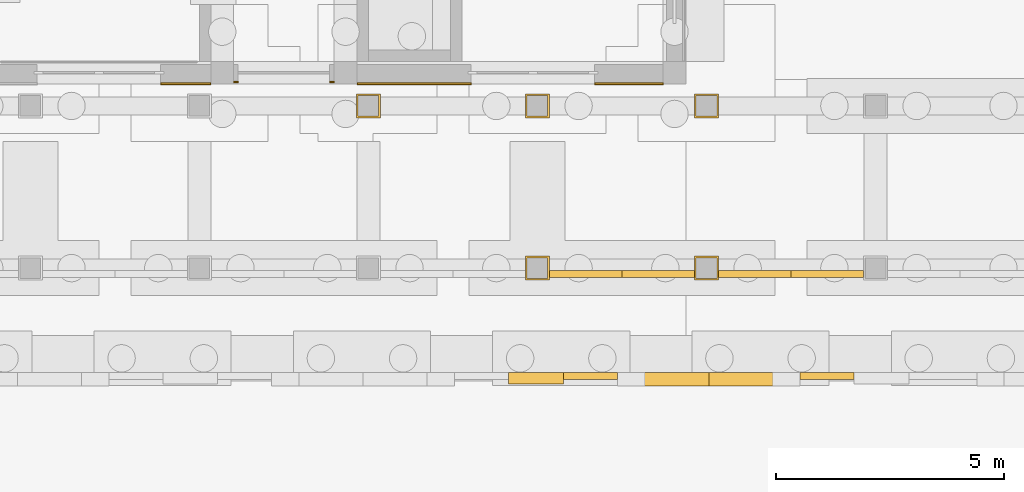
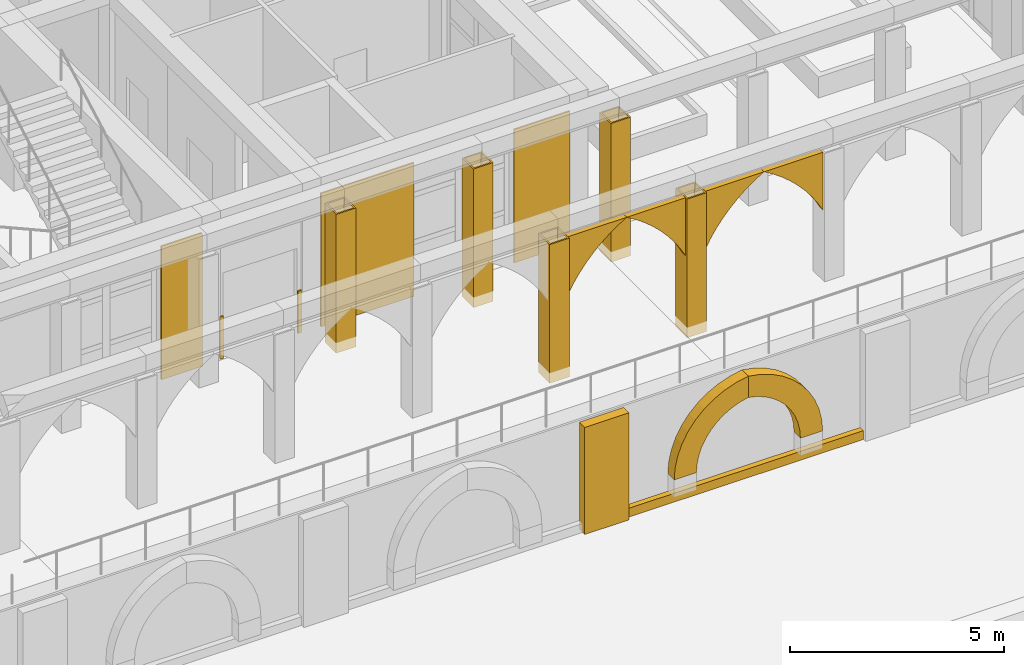
# One storey, part 94 of 161: 18 coverings.
"""IFC4 building model written with IfcOpenShell, lengths in metres."""

from ifc_helpers import new_model, si_unit, direction, frame, origin, origin_2d, place, context, subcontext, project, spatial, polyline, rectangle, outline, extrude, material, layer, layer_set, type_object, element, save


model = new_model("IFC4")

# Units and contexts
model_context = context("Model", 3, precision=1e-05, world=origin(), true_north=direction((0.0, 1.0)))
body_context = subcontext(model_context, "Body", "Model", "MODEL_VIEW")
ifc_project = project(units=[si_unit("LENGTHUNIT", "METRE"), si_unit("AREAUNIT", "SQUARE_METRE"), si_unit("VOLUMEUNIT", "CUBIC_METRE"), si_unit("PLANEANGLEUNIT", "RADIAN"), si_unit("MASSUNIT", "GRAM", prefix="KILO")], contexts=[model_context])

# Site, building, storey
site_placement = place(None, origin())
site = spatial("IfcSite", under=ifc_project, at=site_placement, CompositionType="ELEMENT")
building_placement = place(site_placement, origin())
building = spatial("IfcBuilding", under=site, at=building_placement, Name="Elbe Cascade School", CompositionType="ELEMENT")
storey_placement = place(building_placement, origin())
storey = spatial("IfcBuildingStorey", under=building, at=storey_placement, Name="L00", CompositionType="ELEMENT", Elevation=0.0)

# Coverings
ifc_material_1 = material(Name="Sandstone - red", Category="masonry")
ifc_layer_1 = layer(ifc_material_1, 0.0400390625)
ifc_layer_set_1 = layer_set([ifc_layer_1], Name="Sandstone - red")
covering_type_1 = type_object("IfcCoveringType", Name="Bars envelope Sandstone cladding, red, 40 mm", PredefinedType="CLADDING", material=ifc_layer_set_1)
covering_1_placement = place(storey_placement, frame((75.39990234375, 5.760009765625, 0.0), z_axis=(0.0, 0.0, 1.0), x_axis=(1.0, 0.0, 0.0)))
element("IfcCovering", 1, at=covering_1_placement, inside=storey, type_object=covering_type_1, Name="Sandstone cladding CV48 A.L00.s.1b.1", PredefinedType="CLADDING", context=body_context, shape_type="SweptSolid", body=[
    extrude(rectangle(XDim=1.10009765625, YDim=0.0400390625, at=origin_2d()), origin(), (0.0, 0.0, 1.0), 3.800048828125),
])
for number, where, z_axis, x_axis, name in (
    (2, (76.5, 5.800048828125, 0.0), (0.0, 0.0, 1.0), (1.0, 0.0, 0.0), "Sandstone cladding CV48 A.L00.s.2.1"),
    (3, (78.60009765625, 5.800048828125, 0.0), (0.0, 0.0, 1.0), (1.0, 0.0, 0.0), "Sandstone cladding CV48 A.L00.s.2.2"),
):
    element("IfcCovering", number, at=place(storey_placement, frame(where, z_axis=z_axis, x_axis=x_axis)), inside=storey, type_object=covering_type_1, Name=name, PredefinedType="CLADDING", context=body_context, shape_type="SweptSolid", body=[
        extrude(rectangle(XDim=0.10009765625, YDim=0.0400390625, at=origin_2d()), origin(), (0.0, 0.0, 1.0), 1.199951171875),
    ])
covering_2_placement = place(storey_placement, frame((80.39990234375, 5.760009765625, 0.0), z_axis=(0.0, 0.0, 1.0), x_axis=(1.0, 0.0, 0.0)))
element("IfcCovering", 4, at=covering_2_placement, inside=storey, type_object=covering_type_1, Name="Sandstone cladding CV48 A.L00.s.3a.1", PredefinedType="CLADDING", context=body_context, shape_type="SweptSolid", body=[
    extrude(rectangle(XDim=2.5, YDim=0.0400390625, at=origin_2d()), origin(), (0.0, 0.0, 1.0), 3.800048828125),
])
covering_3_placement = place(storey_placement, frame((85.10009765625, 5.760009765625, 0.0), z_axis=(0.0, 0.0, 1.0), x_axis=(1.0, 0.0, 0.0)))
element("IfcCovering", 5, at=covering_3_placement, inside=storey, type_object=covering_type_1, Name="Sandstone cladding CV48 A.L00.s.3b.1", PredefinedType="CLADDING", context=body_context, shape_type="SweptSolid", body=[
    extrude(rectangle(XDim=1.5, YDim=0.0400390625, at=origin_2d()), origin(), (0.0, 0.0, 1.0), 3.800048828125),
])
ifc_material_2 = material(Name="Sandstone - red", Category="masonry")
ifc_layer_2 = layer(ifc_material_2, 0.14990234375)
ifc_layer_set_2 = layer_set([ifc_layer_2], Name="Sandstone - red")
covering_type_2 = type_object("IfcCoveringType", Name="Plinth base course 150x250", PredefinedType="CLADDING", material=ifc_layer_set_2)
covering_4_placement = place(storey_placement, frame((0.0, 0.0, -3.10009765625)))
element("IfcCovering", 6, at=covering_4_placement, inside=storey, type_object=covering_type_2, Name="Plinth base course south 0.4.5", PredefinedType="CLADDING", context=body_context, shape_type="SweptSolid", body=[
    extrude(outline(polyline([(83.666748046875, -0.7099609375), (90.033447265625, -0.7099609375), (90.033447265625, -0.56005859375), (83.666748046875, -0.56005859375), (83.666748046875, -0.7099609375)])), origin(), (0.0, 0.0, 1.0), 0.25),
])
ifc_material_3 = material(Name="Sandstone - red", Category="masonry")
ifc_layer_3 = layer(ifc_material_3, 0.300048828125)
ifc_layer_set_3 = layer_set([ifc_layer_3], Name="Sandstone - red")
covering_type_3 = type_object("IfcCoveringType", Name="Plinth niche arch band 600x300", PredefinedType="CLADDING", material=ifc_layer_set_3)
covering_5_placement = place(storey_placement, frame((84.85009765625, -0.860107421875, -2.35009765625), z_axis=(0.0, -1.0, 0.0), x_axis=(1.0, 0.0, 0.0)))
element("IfcCovering", 7, at=covering_5_placement, inside=storey, type_object=covering_type_3, Name="Plinth niche arch band south 0.4.5a", PredefinedType="CLADDING", context=body_context, shape_type="SweptSolid", body=[
    extrude(outline(polyline([(0.0, 0.0), (0.599853515625, 0.0), (0.616455078125, 0.234619140625), (0.665771484375, 0.464599609375), (0.74658203125, 0.685302734375), (0.85791015625, 0.892578125), (0.9970703125, 1.08203125), (1.161376953125, 1.250244140625), (1.34765625, 1.393798828125), (1.55224609375, 1.509521484375), (1.771240234375, 1.595703125), (2.0, 1.650146484375), (2.0, 2.256103515625), (1.676513671875, 2.193115234375), (1.365966796875, 2.083984375), (1.07421875, 1.930908203125), (0.8076171875, 1.737548828125), (0.572021484375, 1.507568359375), (0.371826171875, 1.245849609375), (0.211669921875, 0.9580078125), (0.094970703125, 0.650146484375), (0.023681640625, 0.32861328125), (0.0, 0.0)])), origin(), (0.0, 0.0, -1.0), 0.300048828125),
])
covering_6_placement = place(storey_placement, frame((88.826171875, -0.860107421875, -2.021484375), z_axis=(0.0, -1.0, 0.0), x_axis=(-0.216459489286, 0.0, 0.976291600649)))
element("IfcCovering", 8, at=covering_6_placement, inside=storey, type_object=covering_type_3, Name="Plinth niche arch band south 0.4.5b", PredefinedType="CLADDING", context=body_context, shape_type="SweptSolid", body=[
    extrude(outline(polyline([(0.0, 0.0), (0.32934135960117644, 0.0), (0.6551644417049964, 0.04729296121112139), (0.9708493103907654, 0.14134607453088394), (1.2696444562943432, 0.2799052172108526), (1.545222228379718, 0.4603722209510249), (1.7917058001605646, 0.6787986155785705), (2.004304414248379, 0.9304949932625219), (2.1780687735896525, 1.2100568888472178), (2.3095325423352664, 1.512001110288553), (1.7179417823715963, 1.6431662598021382), (1.6153248124213089, 1.4318531562628691), (1.483783040712662, 1.2367058500948127), (1.3265185703197675, 1.0620157711342504), (1.146045413213602, 0.9112266325612076), (0.946254849459528, 0.7872267157841368), (0.7311708184544712, 0.6923747507733593), (0.5047115664853533, 0.628552762616067), (0.2717487496053557, 0.5974313901794459), (0.036545745541084515, 0.5990656517947303), (-0.1961045165427231, 0.6336432251247164), (-0.3260013487362735, 0.04777292375860029), (0.0, 0.0)])), origin(), (0.0, 0.0, -1.0), 0.300048828125),
])
ifc_material_4 = material(Name="Sandstone - red", Category="masonry")
ifc_layer_4 = layer(ifc_material_4, 0.25)
ifc_layer_set_4 = layer_set([ifc_layer_4], Name="Sandstone - red")
covering_type_4 = type_object("IfcCoveringType", Name="Plinth pilaster 1200x250", PredefinedType="CLADDING", material=ifc_layer_set_4)
covering_7_placement = place(storey_placement, frame((0.0, 0.0, -3.10009765625)))
element("IfcCovering", 9, at=covering_7_placement, inside=storey, type_object=covering_type_4, Name="Plinth pilaster south 0.4.4", PredefinedType="CLADDING", context=body_context, shape_type="SweptSolid", body=[
    extrude(outline(polyline([(82.466552734375, -0.81005859375), (83.666748046875, -0.81005859375), (83.666748046875, -0.56005859375), (82.466552734375, -0.56005859375), (82.466552734375, -0.81005859375)])), origin(), (0.0, 0.0, 1.0), 3.050048828125),
])
ifc_material_5 = material(Name="Sandstone - red", Category="masonry")
ifc_layer_5 = layer(ifc_material_5, 0.14990234375)
ifc_layer_set_5 = layer_set([ifc_layer_5], Name="Sandstone - red")
covering_type_5 = type_object("IfcCoveringType", Name="Sandstone arch spandrel 3170x150", PredefinedType="CLADDING", material=ifc_layer_set_5)
covering_8_placement = place(storey_placement, frame((83.364990234375, 1.52490234375, 3.64990234375), z_axis=(0.0, -1.0, 0.0), x_axis=(0.0, 0.0, -1.0)))
element("IfcCovering", 10, at=covering_8_placement, inside=storey, type_object=covering_type_5, Name="Colonnade arch spandrel 21l", PredefinedType="CLADDING", context=body_context, shape_type="SweptSolid", body=[
    extrude(outline(polyline([(0.0, 0.0), (1.64990234375, 0.0), (1.39697265625, 0.141845703125), (1.155029296875, 0.3017578125), (0.92529296875, 0.478759765625), (0.709228515625, 0.672119140625), (0.507568359375, 0.88037109375), (0.3212890625, 1.102783203125), (0.15185546875, 1.337890625), (0.0, 1.5849609375), (0.0, 0.0)])), origin(), (0.0, 0.0, -1.0), 0.14990234375),
])
covering_9_placement = place(storey_placement, frame((84.949951171875, 1.52490234375, 3.64990234375), z_axis=(0.0, -1.0, 0.0), x_axis=(0.851947232707, 0.0, -0.52362764698)))
element("IfcCovering", 11, at=covering_9_placement, inside=storey, type_object=covering_type_5, Name="Colonnade arch spandrel 21r", PredefinedType="CLADDING", context=body_context, shape_type="SweptSolid", body=[
    extrude(outline(polyline([(0.0, 0.0), (0.2900065908011918, 0.0), (0.5792338172011682, -0.021111896437985944), (0.866258188207625, -0.06335089842938235), (1.1492726964852549, -0.12610823030003315), (1.4269340071906127, -0.20906326745450166), (1.6980266242612543, -0.3121033802272114), (1.960951535291733, -0.4344919541630051), (2.2142375666576024, -0.5757003697365862), (1.3503030846525463, 0.8299293662587784), (0.0, 0.0)])), origin(), (0.0, 0.0, -1.0), 0.14990234375),
])
covering_10_placement = place(storey_placement, frame((87.06494140625, 1.52490234375, 3.64990234375), z_axis=(0.0, -1.0, 0.0), x_axis=(0.0, 0.0, -1.0)))
element("IfcCovering", 12, at=covering_10_placement, inside=storey, type_object=covering_type_5, Name="Colonnade arch spandrel 22l", PredefinedType="CLADDING", context=body_context, shape_type="SweptSolid", body=[
    extrude(outline(polyline([(0.0, 0.0), (1.64990234375, 0.0), (1.39697265625, 0.141845703125), (1.155029296875, 0.3017578125), (0.92529296875, 0.478759765625), (0.709228515625, 0.672119140625), (0.507568359375, 0.88037109375), (0.3212890625, 1.102783203125), (0.15185546875, 1.338134765625), (0.0, 1.5849609375), (0.0, 0.0)])), origin(), (0.0, 0.0, -1.0), 0.14990234375),
])
covering_11_placement = place(storey_placement, frame((88.64990234375, 1.52490234375, 3.64990234375), z_axis=(0.0, -1.0, 0.0), x_axis=(0.851947232707, 0.0, -0.52362764698)))
element("IfcCovering", 13, at=covering_11_placement, inside=storey, type_object=covering_type_5, Name="Colonnade arch spandrel 22r", PredefinedType="CLADDING", context=body_context, shape_type="SweptSolid", body=[
    extrude(outline(polyline([(0.0, 0.0), (0.2900065908011918, 0.0), (0.5792338172011682, -0.021111896437985944), (0.866258188207625, -0.06335089842938235), (1.1492726964852549, -0.12610823030003315), (1.4269340071906127, -0.20906326745450166), (1.6980266242612543, -0.3121033802272114), (1.960951535291733, -0.4344919541630051), (2.2144455615874628, -0.5755725309555851), (1.3505110795824065, 0.8300572050397795), (0.0, 0.0)])), origin(), (0.0, 0.0, -1.0), 0.14990234375),
])
ifc_material_6 = material(Name="Sandstone - red", Category="masonry")
ifc_layer_6 = layer(ifc_material_6, 0.0400390625)
ifc_layer_set_6 = layer_set([ifc_layer_6], Name="Sandstone - red")
covering_type_6 = type_object("IfcCoveringType", Name="Sandstone column cladding 40", PredefinedType="CLADDING", material=ifc_layer_set_6)
covering_12_placement = place(storey_placement, frame((0.0, 0.0, -0.300048828125)))
element("IfcCovering", 14, at=covering_12_placement, inside=storey, type_object=covering_type_6, Name="Colonnade column sandstone cladding F21", PredefinedType="CLADDING", context=body_context, shape_type="SweptSolid", body=[
    extrude(outline(polyline([(82.8349609375, 1.4599609375), (83.364990234375, 1.4599609375), (83.364990234375, 1.989990234375), (82.8349609375, 1.989990234375), (82.8349609375, 1.4599609375)]), holes=[polyline([(82.875, 1.949951171875), (83.324951171875, 1.949951171875), (83.324951171875, 1.5), (82.875, 1.5), (82.875, 1.949951171875)])]), origin(), (0.0, 0.0, 1.0), 3.949951171875),
])
covering_13_placement = place(storey_placement, frame((0.0, 0.0, -0.300048828125)))
element("IfcCovering", 15, at=covering_13_placement, inside=storey, type_object=covering_type_6, Name="Colonnade column sandstone cladding F22", PredefinedType="CLADDING", context=body_context, shape_type="SweptSolid", body=[
    extrude(outline(polyline([(86.534912109375, 1.4599609375), (87.06494140625, 1.4599609375), (87.06494140625, 1.989990234375), (86.534912109375, 1.989990234375), (86.534912109375, 1.4599609375)]), holes=[polyline([(86.574951171875, 1.949951171875), (87.02490234375, 1.949951171875), (87.02490234375, 1.5), (86.574951171875, 1.5), (86.574951171875, 1.949951171875)])]), origin(), (0.0, 0.0, 1.0), 3.949951171875),
])
covering_14_placement = place(storey_placement, frame((0.0, 0.0, -0.300048828125)))
element("IfcCovering", 16, at=covering_14_placement, inside=storey, type_object=covering_type_6, Name="Colonnade column sandstone cladding R20", PredefinedType="CLADDING", context=body_context, shape_type="SweptSolid", body=[
    extrude(outline(polyline([(79.135009765625, 5.010009765625), (79.6650390625, 5.010009765625), (79.6650390625, 5.5400390625), (79.135009765625, 5.5400390625), (79.135009765625, 5.010009765625)]), holes=[polyline([(79.175048828125, 5.5), (79.625, 5.5), (79.625, 5.050048828125), (79.175048828125, 5.050048828125), (79.175048828125, 5.5)])]), origin(), (0.0, 0.0, 1.0), 3.949951171875),
])
covering_15_placement = place(storey_placement, frame((0.0, 0.0, -0.300048828125)))
element("IfcCovering", 17, at=covering_15_placement, inside=storey, type_object=covering_type_6, Name="Colonnade column sandstone cladding R21", PredefinedType="CLADDING", context=body_context, shape_type="SweptSolid", body=[
    extrude(outline(polyline([(82.8349609375, 5.010009765625), (83.364990234375, 5.010009765625), (83.364990234375, 5.5400390625), (82.8349609375, 5.5400390625), (82.8349609375, 5.010009765625)]), holes=[polyline([(82.875, 5.5), (83.324951171875, 5.5), (83.324951171875, 5.050048828125), (82.875, 5.050048828125), (82.875, 5.5)])]), origin(), (0.0, 0.0, 1.0), 3.949951171875),
])
covering_16_placement = place(storey_placement, frame((0.0, 0.0, -0.300048828125)))
element("IfcCovering", 18, at=covering_16_placement, inside=storey, type_object=covering_type_6, Name="Colonnade column sandstone cladding R22", PredefinedType="CLADDING", context=body_context, shape_type="SweptSolid", body=[
    extrude(outline(polyline([(86.534912109375, 5.010009765625), (87.06494140625, 5.010009765625), (87.06494140625, 5.5400390625), (86.534912109375, 5.5400390625), (86.534912109375, 5.010009765625)]), holes=[polyline([(86.574951171875, 5.5), (87.02490234375, 5.5), (87.02490234375, 5.050048828125), (86.574951171875, 5.050048828125), (86.574951171875, 5.5)])]), origin(), (0.0, 0.0, 1.0), 3.949951171875),
])

save(model, "model.ifc")
